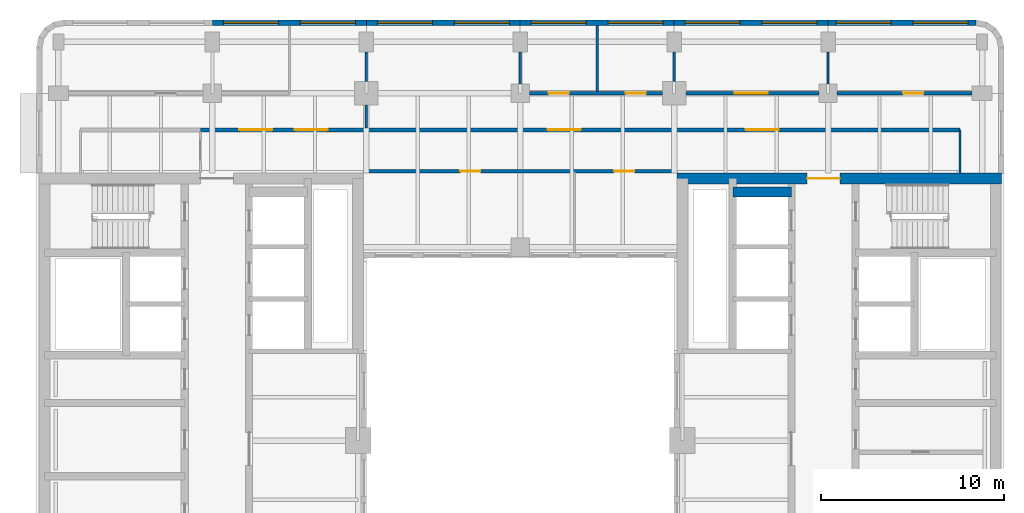
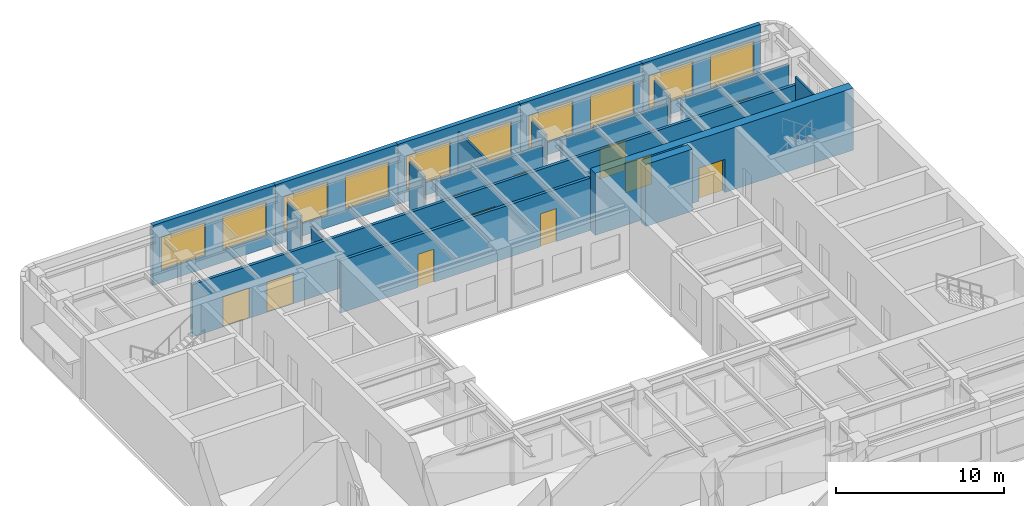
# One storey, part 7 of 11: 19 walls, 11 doors, 10 windows, 21 openings.
"""IFC4 building model written with IfcOpenShell, lengths in metres."""

from ifc_helpers import new_model, si_unit, direction, frame, frame_2d, origin, place, context, subcontext, project, spatial, rectangle, extrude, material, layer, layer_set, type_object, element, fill, save


model = new_model("IFC4")

# Units and contexts
model_context = context("Model", 3, precision=1e-05, world=origin(), true_north=direction((0.0, 1.0)))
body_context = subcontext(model_context, "Body", "Model", "MODEL_VIEW")
ifc_project = project(units=[si_unit("LENGTHUNIT", "METRE"), si_unit("AREAUNIT", "SQUARE_METRE"), si_unit("VOLUMEUNIT", "CUBIC_METRE"), si_unit("PLANEANGLEUNIT", "RADIAN"), si_unit("MASSUNIT", "GRAM", prefix="KILO")], contexts=[model_context])

# Site, building, storey
site_placement = place(None, origin())
site = spatial("IfcSite", under=ifc_project, at=site_placement, CompositionType="ELEMENT")
building_placement = place(site_placement, origin())
building = spatial("IfcBuilding", under=site, at=building_placement, Name="Claustro Exchange Tower", CompositionType="ELEMENT")
storey_placement = place(building_placement, frame((0.0, 0.0, 272.699951171875)))
storey = spatial("IfcBuildingStorey", under=building, at=storey_placement, Name="L62", CompositionType="ELEMENT", Elevation=272.699951171875)

# Walls
ifc_material_1 = material(Name="Laminated glass in aluminium frame", Category="aluminium")
ifc_layer_1 = layer(ifc_material_1, 0.1201171875)
ifc_layer_set_1 = layer_set([ifc_layer_1], Name="Laminated glass in aluminium frame")
wall_type_1 = type_object("IfcWallType", Name="P2 120 glazed partition", PredefinedType="PARTITIONING", material=ifc_layer_set_1)
wall_1_placement = place(storey_placement, frame((25.199951171875, 42.4990234375, 0.0), z_axis=(0.0, 0.0, 1.0), x_axis=(0.0, 1.0, 0.0)))
element("IfcWall", 1, at=wall_1_placement, inside=storey, type_object=wall_type_1, Name="Partition P2 L62", PredefinedType="PARTITIONING", context=body_context, shape_type="SweptSolid", body=[
    extrude(rectangle(XDim=1.751953125, YDim=0.1201171875, at=frame_2d((0.8759765625, 0.0))), origin(), (0.0, 0.0, 1.0), 3.989990234375),
])
wall_2_placement = place(storey_placement, frame((29.39990234375, 42.097900390625, 0.0), z_axis=(0.0, 0.0, 1.0), x_axis=(0.0, 1.0, 0.0)))
element("IfcWall", 2, at=wall_2_placement, inside=storey, type_object=wall_type_1, Name="Partition P2 L62", PredefinedType="PARTITIONING", context=body_context, shape_type="SweptSolid", body=[
    extrude(rectangle(XDim=3.60400390625, YDim=0.1201171875, at=frame_2d((1.802001953125, 0.0))), origin(), (0.0, 0.0, 1.0), 3.800048828125),
])
wall_3_placement = place(storey_placement, frame((33.60009765625, 42.64892578125, 0.0), z_axis=(0.0, 0.0, 1.0), x_axis=(0.0, 1.0, 0.0)))
element("IfcWall", 3, at=wall_3_placement, inside=storey, type_object=wall_type_1, Name="Partition P2 L62", PredefinedType="PARTITIONING", context=body_context, shape_type="SweptSolid", body=[
    extrude(rectangle(XDim=1.60205078125, YDim=0.1201171875, at=frame_2d((0.801025390625, 0.0))), origin(), (0.0, 0.0, 1.0), 3.989990234375),
])
wall_4_placement = place(storey_placement, frame((42.0, 42.4990234375, 0.0), z_axis=(0.0, 0.0, 1.0), x_axis=(0.0, 1.0, 0.0)))
element("IfcWall", 4, at=wall_4_placement, inside=storey, type_object=wall_type_1, Name="Partition P2 L62", PredefinedType="PARTITIONING", context=body_context, shape_type="SweptSolid", body=[
    extrude(rectangle(XDim=1.751953125, YDim=0.1201171875, at=frame_2d((0.8759765625, 0.0))), origin(), (0.0, 0.0, 1.0), 3.989990234375),
])
wall_5_placement = place(storey_placement, frame((16.800048828125, 40.097900390625, 0.0), z_axis=(0.0, 0.0, 1.0), x_axis=(0.0, 1.0, 0.0)))
element("IfcWall", 5, at=wall_5_placement, inside=storey, type_object=wall_type_1, Name="Partition P2 L62", PredefinedType="PARTITIONING", context=body_context, shape_type="SweptSolid", body=[
    extrude(rectangle(XDim=1.253173828125, YDim=0.1201171875, at=frame_2d((0.62646484375, 0.0))), origin(), (0.0, 0.0, 1.0), 3.989990234375),
])
wall_6_placement = place(storey_placement, frame((16.800048828125, 42.64892578125, 0.0), z_axis=(0.0, 0.0, 1.0), x_axis=(0.0, 1.0, 0.0)))
element("IfcWall", 6, at=wall_6_placement, inside=storey, type_object=wall_type_1, Name="Partition P2 L62", PredefinedType="PARTITIONING", context=body_context, shape_type="SweptSolid", body=[
    extrude(rectangle(XDim=1.60205078125, YDim=0.1201171875, at=frame_2d((0.801025390625, 0.0))), origin(), (0.0, 0.0, 1.0), 3.989990234375),
])
wall_7_placement = place(storey_placement, frame((49.199951171875, 37.64794921875, 0.0), z_axis=(0.0, 0.0, 1.0), x_axis=(0.0, 1.0, 0.0)))
element("IfcWall", 7, at=wall_7_placement, inside=storey, type_object=wall_type_1, Name="Partition P2 L62", PredefinedType="PARTITIONING", context=body_context, shape_type="SweptSolid", body=[
    extrude(rectangle(XDim=2.35205078125, YDim=0.1201171875, at=frame_2d((1.176025390625, 0.0))), origin(), (0.0, 0.0, 1.0), 4.35009765625),
])

# Wall, openings, doors
ifc_material_2 = material(Name="Twin-skin gypsum board on steel studs, mineral wool", Category="steel")
ifc_layer_2 = layer(ifc_material_2, 0.199951171875)
ifc_layer_set_2 = layer_set([ifc_layer_2], Name="Twin-skin gypsum board on steel studs, mineral wool")
wall_type_2 = type_object("IfcWallType", Name="P3 200 acoustic partition", PredefinedType="PARTITIONING", material=ifc_layer_set_2)
wall_8_placement = place(storey_placement, frame((25.698974609375, 42.0, 0.0), z_axis=(0.0, 0.0, 1.0), x_axis=(1.0, 0.0, 0.0)))
wall_8 = element("IfcWall", 8, at=wall_8_placement, inside=storey, type_object=wall_type_2, Name="Partition P3 L62", PredefinedType="PARTITIONING", context=body_context, shape_type="SweptSolid", body=[
    extrude(rectangle(XDim=7.251953125, YDim=0.199951171875, at=frame_2d((3.6259765625, 0.0))), origin(), (0.0, 0.0, 1.0), 3.800048828125),
])
opening_1_placement = place(wall_8_placement, frame((1.051025390625, 0.0, 0.0)))
opening_1 = element("IfcOpeningElement", 9, at=opening_1_placement, cuts=wall_8, Name="Opening D8", PredefinedType="OPENING", context=body_context, shape_type="SweptSolid", body=[
    extrude(rectangle(XDim=1.10009765625, YDim=2.39990234375, at=frame_2d((0.550048828125, 1.199951171875))), frame((0.0, 0.10986328125, 0.0), z_axis=(0.0, -1.0, 0.0), x_axis=(1.0, 0.0, 0.0)), (0.0, 0.0, 1.0), 0.219970703125),
])
opening_2_placement = place(wall_8_placement, frame((5.2509765625, 0.0, 0.0)))
opening_2 = element("IfcOpeningElement", 10, at=opening_2_placement, cuts=wall_8, Name="Opening D8", PredefinedType="OPENING", context=body_context, shape_type="SweptSolid", body=[
    extrude(rectangle(XDim=1.10009765625, YDim=2.39990234375, at=frame_2d((0.550048828125, 1.199951171875))), frame((0.0, 0.10986328125, 0.0), z_axis=(0.0, -1.0, 0.0), x_axis=(1.0, 0.0, 0.0)), (0.0, 0.0, 1.0), 0.219970703125),
])
ifc_material_3 = material(Name="Timber door, walnut veneer", Category="wood")
door_type_1 = type_object("IfcDoorType", Name="D8 1100 x 2400 executive door", OperationType="SINGLE_SWING_LEFT", PredefinedType="DOOR", material=ifc_material_3)
door_1_placement = place(opening_1_placement, origin())
door_1 = element("IfcDoor", 11, at=door_1_placement, inside=storey, type_object=door_type_1, Name="Door D8 L62", OperationType="SINGLE_SWING_RIGHT", OverallHeight=2.39990234375, OverallWidth=1.10009765625, PredefinedType="DOOR", context=body_context, shape_type="SweptSolid", body=[
    extrude(rectangle(XDim=1.10009765625, YDim=2.39990234375, at=frame_2d((0.550048828125, 1.199951171875))), frame((0.0, 0.02490234375, 0.0), z_axis=(0.0, -1.0, 0.0), x_axis=(1.0, 0.0, 0.0)), (0.0, 0.0, 1.0), 0.050048828125),
])
fill(opening_1, door_1)
door_2_placement = place(opening_2_placement, origin())
door_2 = element("IfcDoor", 12, at=door_2_placement, inside=storey, type_object=door_type_1, Name="Door D8 L62", OperationType="SINGLE_SWING_RIGHT", OverallHeight=2.39990234375, OverallWidth=1.10009765625, PredefinedType="DOOR", context=body_context, shape_type="SweptSolid", body=[
    extrude(rectangle(XDim=1.10009765625, YDim=2.39990234375, at=frame_2d((0.550048828125, 1.199951171875))), frame((0.0, 0.02490234375, 0.0), z_axis=(0.0, -1.0, 0.0), x_axis=(1.0, 0.0, 0.0)), (0.0, 0.0, 1.0), 0.050048828125),
])
fill(opening_2, door_2)

# Wall, opening, door
wall_9_placement = place(storey_placement, frame((34.2490234375, 42.0, 0.0), z_axis=(0.0, 0.0, 1.0), x_axis=(1.0, 0.0, 0.0)))
wall_9 = element("IfcWall", 13, at=wall_9_placement, inside=storey, type_object=wall_type_2, Name="Partition P3 L62", PredefinedType="PARTITIONING", context=body_context, shape_type="SweptSolid", body=[
    extrude(rectangle(XDim=7.251953125, YDim=0.199951171875, at=frame_2d((3.6259765625, 0.0))), origin(), (0.0, 0.0, 1.0), 3.800048828125),
])
opening_3_placement = place(wall_9_placement, frame((2.65087890625, 0.0, 0.0)))
opening_3 = element("IfcOpeningElement", 14, at=opening_3_placement, cuts=wall_9, Name="Opening D2", PredefinedType="OPENING", context=body_context, shape_type="SweptSolid", body=[
    extrude(rectangle(XDim=1.800048828125, YDim=2.199951171875, at=frame_2d((0.89990234375, 1.10009765625))), frame((0.0, 0.10986328125, 0.0), z_axis=(0.0, -1.0, 0.0), x_axis=(1.0, 0.0, 0.0)), (0.0, 0.0, 1.0), 0.219970703125),
])
ifc_material_4 = material(Name="Timber door, oak veneer", Category="wood")
door_type_2 = type_object("IfcDoorType", Name="D2 1800 x 2200 double door", OperationType="DOUBLE_DOOR_SINGLE_SWING", PredefinedType="DOOR", material=ifc_material_4)
door_3_placement = place(opening_3_placement, origin())
door_3 = element("IfcDoor", 15, at=door_3_placement, inside=storey, type_object=door_type_2, Name="Double door D2 L62", OperationType="DOUBLE_DOOR_SINGLE_SWING", OverallHeight=2.199951171875, OverallWidth=1.800048828125, PredefinedType="DOOR", context=body_context, shape_type="SweptSolid", body=[
    extrude(rectangle(XDim=1.800048828125, YDim=2.199951171875, at=frame_2d((0.89990234375, 1.10009765625))), frame((0.0, 0.02490234375, 0.0), z_axis=(0.0, -1.0, 0.0), x_axis=(1.0, 0.0, 0.0)), (0.0, 0.0, 1.0), 0.050048828125),
])
fill(opening_3, door_3)

wall_10_placement = place(storey_placement, frame((42.4990234375, 42.0, 0.0), z_axis=(0.0, 0.0, 1.0), x_axis=(1.0, 0.0, 0.0)))
wall_10 = element("IfcWall", 16, at=wall_10_placement, inside=storey, type_object=wall_type_2, Name="Partition P3 L62", PredefinedType="PARTITIONING", context=body_context, shape_type="SweptSolid", body=[
    extrude(rectangle(XDim=7.35205078125, YDim=0.199951171875, at=frame_2d((3.676025390625, 0.0))), origin(), (0.0, 0.0, 1.0), 3.800048828125),
])
opening_4_placement = place(wall_10_placement, frame((3.60107421875, 0.0, 0.0)))
opening_4 = element("IfcOpeningElement", 17, at=opening_4_placement, cuts=wall_10, Name="Opening D8", PredefinedType="OPENING", context=body_context, shape_type="SweptSolid", body=[
    extrude(rectangle(XDim=1.10009765625, YDim=2.39990234375, at=frame_2d((0.550048828125, 1.199951171875))), frame((0.0, 0.10986328125, 0.0), z_axis=(0.0, -1.0, 0.0), x_axis=(1.0, 0.0, 0.0)), (0.0, 0.0, 1.0), 0.219970703125),
])
door_4_placement = place(opening_4_placement, origin())
door_4 = element("IfcDoor", 18, at=door_4_placement, inside=storey, type_object=door_type_1, Name="Door D8 L62", OperationType="SINGLE_SWING_LEFT", OverallHeight=2.39990234375, OverallWidth=1.10009765625, PredefinedType="DOOR", context=body_context, shape_type="SweptSolid", body=[
    extrude(rectangle(XDim=1.10009765625, YDim=2.39990234375, at=frame_2d((0.550048828125, 1.199951171875))), frame((0.0, 0.02490234375, 0.0), z_axis=(0.0, -1.0, 0.0), x_axis=(1.0, 0.0, 0.0)), (0.0, 0.0, 1.0), 0.050048828125),
])
fill(opening_4, door_4)

# Wall, openings, doors
wall_11_placement = place(storey_placement, frame((7.748046875, 40.0, 0.0), z_axis=(0.0, 0.0, 1.0), x_axis=(1.0, 0.0, 0.0)))
wall_11 = element("IfcWall", 19, at=wall_11_placement, inside=storey, type_object=wall_type_2, Name="Partition P3 L62", PredefinedType="PARTITIONING", context=body_context, shape_type="SweptSolid", body=[
    extrude(rectangle(XDim=41.451904296875, YDim=0.199951171875, at=frame_2d((20.72607421875, 0.0))), origin(), (0.0, 0.0, 1.0), 3.800048828125),
])
opening_5_placement = place(wall_11_placement, frame((2.11865234375, 0.0, 0.0)))
opening_5 = element("IfcOpeningElement", 20, at=opening_5_placement, cuts=wall_11, Name="Opening D2", PredefinedType="OPENING", context=body_context, shape_type="SweptSolid", body=[
    extrude(rectangle(XDim=1.800048828125, YDim=2.199951171875, at=frame_2d((0.89990234375, 1.10009765625))), frame((0.0, 0.10986328125, 0.0), z_axis=(0.0, -1.0, 0.0), x_axis=(1.0, 0.0, 0.0)), (0.0, 0.0, 1.0), 0.219970703125),
])
opening_6_placement = place(wall_11_placement, frame((5.13525390625, 0.0, 0.0)))
opening_6 = element("IfcOpeningElement", 21, at=opening_6_placement, cuts=wall_11, Name="Opening D2", PredefinedType="OPENING", context=body_context, shape_type="SweptSolid", body=[
    extrude(rectangle(XDim=1.800048828125, YDim=2.199951171875, at=frame_2d((0.89990234375, 1.10009765625))), frame((0.0, 0.10986328125, 0.0), z_axis=(0.0, -1.0, 0.0), x_axis=(1.0, 0.0, 0.0)), (0.0, 0.0, 1.0), 0.219970703125),
])
opening_7_placement = place(wall_11_placement, frame((18.951904296875, 0.0, 0.0)))
opening_7 = element("IfcOpeningElement", 22, at=opening_7_placement, cuts=wall_11, Name="Opening D2", PredefinedType="OPENING", context=body_context, shape_type="SweptSolid", body=[
    extrude(rectangle(XDim=1.800048828125, YDim=2.199951171875, at=frame_2d((0.89990234375, 1.10009765625))), frame((0.0, 0.10986328125, 0.0), z_axis=(0.0, -1.0, 0.0), x_axis=(1.0, 0.0, 0.0)), (0.0, 0.0, 1.0), 0.219970703125),
])
opening_8_placement = place(wall_11_placement, frame((29.751953125, 0.0, 0.0)))
opening_8 = element("IfcOpeningElement", 23, at=opening_8_placement, cuts=wall_11, Name="Opening D2", PredefinedType="OPENING", context=body_context, shape_type="SweptSolid", body=[
    extrude(rectangle(XDim=1.800048828125, YDim=2.199951171875, at=frame_2d((0.89990234375, 1.10009765625))), frame((0.0, 0.10986328125, 0.0), z_axis=(0.0, -1.0, 0.0), x_axis=(1.0, 0.0, 0.0)), (0.0, 0.0, 1.0), 0.219970703125),
])
door_5_placement = place(opening_5_placement, origin())
door_5 = element("IfcDoor", 24, at=door_5_placement, inside=storey, type_object=door_type_2, Name="Double door D2 L62", OperationType="DOUBLE_DOOR_SINGLE_SWING", OverallHeight=2.199951171875, OverallWidth=1.800048828125, PredefinedType="DOOR", context=body_context, shape_type="SweptSolid", body=[
    extrude(rectangle(XDim=1.800048828125, YDim=2.199951171875, at=frame_2d((0.89990234375, 1.10009765625))), frame((0.0, 0.02490234375, 0.0), z_axis=(0.0, -1.0, 0.0), x_axis=(1.0, 0.0, 0.0)), (0.0, 0.0, 1.0), 0.050048828125),
])
fill(opening_5, door_5)
door_6_placement = place(opening_6_placement, origin())
door_6 = element("IfcDoor", 25, at=door_6_placement, inside=storey, type_object=door_type_2, Name="Double door D2 L62", OperationType="DOUBLE_DOOR_SINGLE_SWING", OverallHeight=2.199951171875, OverallWidth=1.800048828125, PredefinedType="DOOR", context=body_context, shape_type="SweptSolid", body=[
    extrude(rectangle(XDim=1.800048828125, YDim=2.199951171875, at=frame_2d((0.89990234375, 1.10009765625))), frame((0.0, 0.02490234375, 0.0), z_axis=(0.0, -1.0, 0.0), x_axis=(1.0, 0.0, 0.0)), (0.0, 0.0, 1.0), 0.050048828125),
])
fill(opening_6, door_6)
door_7_placement = place(opening_7_placement, origin())
door_7 = element("IfcDoor", 26, at=door_7_placement, inside=storey, type_object=door_type_2, Name="Double door D2 L62", OperationType="DOUBLE_DOOR_SINGLE_SWING", OverallHeight=2.199951171875, OverallWidth=1.800048828125, PredefinedType="DOOR", context=body_context, shape_type="SweptSolid", body=[
    extrude(rectangle(XDim=1.800048828125, YDim=2.199951171875, at=frame_2d((0.89990234375, 1.10009765625))), frame((0.0, 0.02490234375, 0.0), z_axis=(0.0, -1.0, 0.0), x_axis=(1.0, 0.0, 0.0)), (0.0, 0.0, 1.0), 0.050048828125),
])
fill(opening_7, door_7)
door_8_placement = place(opening_8_placement, origin())
door_8 = element("IfcDoor", 27, at=door_8_placement, inside=storey, type_object=door_type_2, Name="Double door D2 L62", OperationType="DOUBLE_DOOR_SINGLE_SWING", OverallHeight=2.199951171875, OverallWidth=1.800048828125, PredefinedType="DOOR", context=body_context, shape_type="SweptSolid", body=[
    extrude(rectangle(XDim=1.800048828125, YDim=2.199951171875, at=frame_2d((0.89990234375, 1.10009765625))), frame((0.0, 0.02490234375, 0.0), z_axis=(0.0, -1.0, 0.0), x_axis=(1.0, 0.0, 0.0)), (0.0, 0.0, 1.0), 0.050048828125),
])
fill(opening_8, door_8)

wall_12_placement = place(storey_placement, frame((16.64990234375, 37.75, 0.0), z_axis=(0.0, 0.0, 1.0), x_axis=(1.0, 0.0, 0.0)))
wall_12 = element("IfcWall", 28, at=wall_12_placement, inside=storey, type_object=wall_type_2, Name="Partition P3 L62", PredefinedType="PARTITIONING", context=body_context, shape_type="SweptSolid", body=[
    extrude(rectangle(XDim=17.10009765625, YDim=0.199951171875, at=frame_2d((8.550048828125, 0.0))), origin(), (0.0, 0.0, 1.0), 3.800048828125),
])
opening_9_placement = place(wall_12_placement, frame((5.2802734375, 0.0, 0.0)))
opening_9 = element("IfcOpeningElement", 29, at=opening_9_placement, cuts=wall_12, Name="Opening D8", PredefinedType="OPENING", context=body_context, shape_type="SweptSolid", body=[
    extrude(rectangle(XDim=1.10009765625, YDim=2.39990234375, at=frame_2d((0.550048828125, 1.199951171875))), frame((0.0, 0.10986328125, 0.0), z_axis=(0.0, -1.0, 0.0), x_axis=(1.0, 0.0, 0.0)), (0.0, 0.0, 1.0), 0.219970703125),
])
opening_10_placement = place(wall_12_placement, frame((13.68017578125, 0.0, 0.0)))
opening_10 = element("IfcOpeningElement", 30, at=opening_10_placement, cuts=wall_12, Name="Opening D8", PredefinedType="OPENING", context=body_context, shape_type="SweptSolid", body=[
    extrude(rectangle(XDim=1.10009765625, YDim=2.39990234375, at=frame_2d((0.550048828125, 1.199951171875))), frame((0.0, 0.10986328125, 0.0), z_axis=(0.0, -1.0, 0.0), x_axis=(1.0, 0.0, 0.0)), (0.0, 0.0, 1.0), 0.219970703125),
])
door_9_placement = place(opening_9_placement, frame((1.10009765625, 0.0, 0.0), z_axis=(0.0, 0.0, 1.0), x_axis=(-1.0, 0.0, 0.0)))
door_9 = element("IfcDoor", 31, at=door_9_placement, inside=storey, type_object=door_type_1, Name="Door D8 L62", OperationType="SINGLE_SWING_LEFT", OverallHeight=2.39990234375, OverallWidth=1.10009765625, PredefinedType="DOOR", context=body_context, shape_type="SweptSolid", body=[
    extrude(rectangle(XDim=1.10009765625, YDim=2.39990234375, at=frame_2d((0.550048828125, 1.199951171875))), frame((0.0, 0.02490234375, 0.0), z_axis=(0.0, -1.0, 0.0), x_axis=(1.0, 0.0, 0.0)), (0.0, 0.0, 1.0), 0.050048828125),
])
fill(opening_9, door_9)
door_10_placement = place(opening_10_placement, frame((1.10009765625, 0.0, 0.0), z_axis=(0.0, 0.0, 1.0), x_axis=(-1.0, 0.0, 0.0)))
door_10 = element("IfcDoor", 32, at=door_10_placement, inside=storey, type_object=door_type_1, Name="Door D8 L62", OperationType="SINGLE_SWING_LEFT", OverallHeight=2.39990234375, OverallWidth=1.10009765625, PredefinedType="DOOR", context=body_context, shape_type="SweptSolid", body=[
    extrude(rectangle(XDim=1.10009765625, YDim=2.39990234375, at=frame_2d((0.550048828125, 1.199951171875))), frame((0.0, 0.02490234375, 0.0), z_axis=(0.0, -1.0, 0.0), x_axis=(1.0, 0.0, 0.0)), (0.0, 0.0, 1.0), 0.050048828125),
])
fill(opening_10, door_10)

# Wall, openings, windows
ifc_material_5 = material(Name="Concrete HA-40 (C40/50), precast, white cement, acid-etched", Category="concrete")
ifc_layer_3 = layer(ifc_material_5, 0.300048828125)
ifc_layer_set_3 = layer_set([ifc_layer_3], Name="Concrete HA-40 (C40/50), precast, white cement, acid-etched")
wall_type_3 = type_object("IfcWallType", Name="PC1 300 precast concrete pier panel", PredefinedType="SOLIDWALL", material=ifc_layer_set_3)
wall_13_placement = place(storey_placement, frame((8.39990234375, 45.85009765625, 0.0), z_axis=(0.0, 0.0, 1.0), x_axis=(1.0, 0.0, 0.0)))
wall_13 = element("IfcWall", 33, at=wall_13_placement, inside=storey, type_object=wall_type_3, Name="Precast pier panel PC1 L62", PredefinedType="SOLIDWALL", context=body_context, shape_type="SweptSolid", body=[
    extrude(rectangle(XDim=8.400146484375, YDim=0.300048828125, at=frame_2d((4.2001953125, 0.0))), origin(), (0.0, 0.0, 1.0), 4.35009765625),
])
opening_11_placement = place(wall_13_placement, frame((0.60009765625, 0.0, 0.89990234375)))
opening_11 = element("IfcOpeningElement", 34, at=opening_11_placement, cuts=wall_13, Name="Opening W3", PredefinedType="OPENING", context=body_context, shape_type="SweptSolid", body=[
    extrude(rectangle(XDim=3.0, YDim=2.39990234375, at=frame_2d((1.5, 1.199951171875))), frame((0.0, 0.159912109375, 0.0), z_axis=(0.0, -1.0, 0.0), x_axis=(1.0, 0.0, 0.0)), (0.0, 0.0, 1.0), 0.320068359375),
])
opening_12_placement = place(wall_13_placement, frame((4.800048828125, 0.0, 0.89990234375)))
opening_12 = element("IfcOpeningElement", 35, at=opening_12_placement, cuts=wall_13, Name="Opening W3", PredefinedType="OPENING", context=body_context, shape_type="SweptSolid", body=[
    extrude(rectangle(XDim=3.0, YDim=2.39990234375, at=frame_2d((1.5, 1.199951171875))), frame((0.0, 0.159912109375, 0.0), z_axis=(0.0, -1.0, 0.0), x_axis=(1.0, 0.0, 0.0)), (0.0, 0.0, 1.0), 0.320068359375),
])
ifc_material_6 = material(Name="Aluminium frame, clear double glazing", Category="aluminium")
window_type = type_object("IfcWindowType", Name="W3 3000 x 2400 window", PartitioningType="SINGLE_PANEL", PredefinedType="WINDOW", material=ifc_material_6)
window_1_placement = place(opening_11_placement, origin())
window_1 = element("IfcWindow", 36, at=window_1_placement, inside=storey, type_object=window_type, Name="Window W3 L62", OverallHeight=2.39990234375, OverallWidth=3.0, PartitioningType="SINGLE_PANEL", PredefinedType="WINDOW", context=body_context, shape_type="SweptSolid", body=[
    extrude(rectangle(XDim=3.0, YDim=2.39990234375, at=frame_2d((1.5, 1.199951171875))), frame((0.0, 0.030029296875, 0.0), z_axis=(0.0, -1.0, 0.0), x_axis=(1.0, 0.0, 0.0)), (0.0, 0.0, 1.0), 0.06005859375),
])
fill(opening_11, window_1)
window_2_placement = place(opening_12_placement, origin())
window_2 = element("IfcWindow", 37, at=window_2_placement, inside=storey, type_object=window_type, Name="Window W3 L62", OverallHeight=2.39990234375, OverallWidth=3.0, PartitioningType="SINGLE_PANEL", PredefinedType="WINDOW", context=body_context, shape_type="SweptSolid", body=[
    extrude(rectangle(XDim=3.0, YDim=2.39990234375, at=frame_2d((1.5, 1.199951171875))), frame((0.0, 0.030029296875, 0.0), z_axis=(0.0, -1.0, 0.0), x_axis=(1.0, 0.0, 0.0)), (0.0, 0.0, 1.0), 0.06005859375),
])
fill(opening_12, window_2)

wall_14_placement = place(storey_placement, frame((16.800048828125, 45.85009765625, 0.0), z_axis=(0.0, 0.0, 1.0), x_axis=(1.0, 0.0, 0.0)))
wall_14 = element("IfcWall", 38, at=wall_14_placement, inside=storey, type_object=wall_type_3, Name="Precast pier panel PC1 L62", PredefinedType="SOLIDWALL", context=body_context, shape_type="SweptSolid", body=[
    extrude(rectangle(XDim=8.39990234375, YDim=0.300048828125, at=frame_2d((4.199951171875, 0.0))), origin(), (0.0, 0.0, 1.0), 4.35009765625),
])
opening_13_placement = place(wall_14_placement, frame((0.60009765625, 0.0, 0.89990234375)))
opening_13 = element("IfcOpeningElement", 39, at=opening_13_placement, cuts=wall_14, Name="Opening W3", PredefinedType="OPENING", context=body_context, shape_type="SweptSolid", body=[
    extrude(rectangle(XDim=3.0, YDim=2.39990234375, at=frame_2d((1.5, 1.199951171875))), frame((0.0, 0.159912109375, 0.0), z_axis=(0.0, -1.0, 0.0), x_axis=(1.0, 0.0, 0.0)), (0.0, 0.0, 1.0), 0.320068359375),
])
opening_14_placement = place(wall_14_placement, frame((4.800048828125, 0.0, 0.89990234375)))
opening_14 = element("IfcOpeningElement", 40, at=opening_14_placement, cuts=wall_14, Name="Opening W3", PredefinedType="OPENING", context=body_context, shape_type="SweptSolid", body=[
    extrude(rectangle(XDim=3.0, YDim=2.39990234375, at=frame_2d((1.5, 1.199951171875))), frame((0.0, 0.159912109375, 0.0), z_axis=(0.0, -1.0, 0.0), x_axis=(1.0, 0.0, 0.0)), (0.0, 0.0, 1.0), 0.320068359375),
])
window_3_placement = place(opening_13_placement, origin())
window_3 = element("IfcWindow", 41, at=window_3_placement, inside=storey, type_object=window_type, Name="Window W3 L62", OverallHeight=2.39990234375, OverallWidth=3.0, PartitioningType="SINGLE_PANEL", PredefinedType="WINDOW", context=body_context, shape_type="SweptSolid", body=[
    extrude(rectangle(XDim=3.0, YDim=2.39990234375, at=frame_2d((1.5, 1.199951171875))), frame((0.0, 0.030029296875, 0.0), z_axis=(0.0, -1.0, 0.0), x_axis=(1.0, 0.0, 0.0)), (0.0, 0.0, 1.0), 0.06005859375),
])
fill(opening_13, window_3)
window_4_placement = place(opening_14_placement, origin())
window_4 = element("IfcWindow", 42, at=window_4_placement, inside=storey, type_object=window_type, Name="Window W3 L62", OverallHeight=2.39990234375, OverallWidth=3.0, PartitioningType="SINGLE_PANEL", PredefinedType="WINDOW", context=body_context, shape_type="SweptSolid", body=[
    extrude(rectangle(XDim=3.0, YDim=2.39990234375, at=frame_2d((1.5, 1.199951171875))), frame((0.0, 0.030029296875, 0.0), z_axis=(0.0, -1.0, 0.0), x_axis=(1.0, 0.0, 0.0)), (0.0, 0.0, 1.0), 0.06005859375),
])
fill(opening_14, window_4)

wall_15_placement = place(storey_placement, frame((25.199951171875, 45.85009765625, 0.0), z_axis=(0.0, 0.0, 1.0), x_axis=(1.0, 0.0, 0.0)))
wall_15 = element("IfcWall", 43, at=wall_15_placement, inside=storey, type_object=wall_type_3, Name="Precast pier panel PC1 L62", PredefinedType="SOLIDWALL", context=body_context, shape_type="SweptSolid", body=[
    extrude(rectangle(XDim=8.400146484375, YDim=0.300048828125, at=frame_2d((4.2001953125, 0.0))), origin(), (0.0, 0.0, 1.0), 4.35009765625),
])
opening_15_placement = place(wall_15_placement, frame((0.60009765625, 0.0, 0.89990234375)))
opening_15 = element("IfcOpeningElement", 44, at=opening_15_placement, cuts=wall_15, Name="Opening W3", PredefinedType="OPENING", context=body_context, shape_type="SweptSolid", body=[
    extrude(rectangle(XDim=3.0, YDim=2.39990234375, at=frame_2d((1.5, 1.199951171875))), frame((0.0, 0.159912109375, 0.0), z_axis=(0.0, -1.0, 0.0), x_axis=(1.0, 0.0, 0.0)), (0.0, 0.0, 1.0), 0.320068359375),
])
opening_16_placement = place(wall_15_placement, frame((4.800048828125, 0.0, 0.89990234375)))
opening_16 = element("IfcOpeningElement", 45, at=opening_16_placement, cuts=wall_15, Name="Opening W3", PredefinedType="OPENING", context=body_context, shape_type="SweptSolid", body=[
    extrude(rectangle(XDim=3.0, YDim=2.39990234375, at=frame_2d((1.5, 1.199951171875))), frame((0.0, 0.159912109375, 0.0), z_axis=(0.0, -1.0, 0.0), x_axis=(1.0, 0.0, 0.0)), (0.0, 0.0, 1.0), 0.320068359375),
])
window_5_placement = place(opening_15_placement, origin())
window_5 = element("IfcWindow", 46, at=window_5_placement, inside=storey, type_object=window_type, Name="Window W3 L62", OverallHeight=2.39990234375, OverallWidth=3.0, PartitioningType="SINGLE_PANEL", PredefinedType="WINDOW", context=body_context, shape_type="SweptSolid", body=[
    extrude(rectangle(XDim=3.0, YDim=2.39990234375, at=frame_2d((1.5, 1.199951171875))), frame((0.0, 0.030029296875, 0.0), z_axis=(0.0, -1.0, 0.0), x_axis=(1.0, 0.0, 0.0)), (0.0, 0.0, 1.0), 0.06005859375),
])
fill(opening_15, window_5)
window_6_placement = place(opening_16_placement, origin())
window_6 = element("IfcWindow", 47, at=window_6_placement, inside=storey, type_object=window_type, Name="Window W3 L62", OverallHeight=2.39990234375, OverallWidth=3.0, PartitioningType="SINGLE_PANEL", PredefinedType="WINDOW", context=body_context, shape_type="SweptSolid", body=[
    extrude(rectangle(XDim=3.0, YDim=2.39990234375, at=frame_2d((1.5, 1.199951171875))), frame((0.0, 0.030029296875, 0.0), z_axis=(0.0, -1.0, 0.0), x_axis=(1.0, 0.0, 0.0)), (0.0, 0.0, 1.0), 0.06005859375),
])
fill(opening_16, window_6)

wall_16_placement = place(storey_placement, frame((33.60009765625, 45.85009765625, 0.0), z_axis=(0.0, 0.0, 1.0), x_axis=(1.0, 0.0, 0.0)))
wall_16 = element("IfcWall", 48, at=wall_16_placement, inside=storey, type_object=wall_type_3, Name="Precast pier panel PC1 L62", PredefinedType="SOLIDWALL", context=body_context, shape_type="SweptSolid", body=[
    extrude(rectangle(XDim=8.39990234375, YDim=0.300048828125, at=frame_2d((4.199951171875, 0.0))), origin(), (0.0, 0.0, 1.0), 4.35009765625),
])
opening_17_placement = place(wall_16_placement, frame((0.60009765625, 0.0, 0.89990234375)))
opening_17 = element("IfcOpeningElement", 49, at=opening_17_placement, cuts=wall_16, Name="Opening W3", PredefinedType="OPENING", context=body_context, shape_type="SweptSolid", body=[
    extrude(rectangle(XDim=3.0, YDim=2.39990234375, at=frame_2d((1.5, 1.199951171875))), frame((0.0, 0.159912109375, 0.0), z_axis=(0.0, -1.0, 0.0), x_axis=(1.0, 0.0, 0.0)), (0.0, 0.0, 1.0), 0.320068359375),
])
opening_18_placement = place(wall_16_placement, frame((4.800048828125, 0.0, 0.89990234375)))
opening_18 = element("IfcOpeningElement", 50, at=opening_18_placement, cuts=wall_16, Name="Opening W3", PredefinedType="OPENING", context=body_context, shape_type="SweptSolid", body=[
    extrude(rectangle(XDim=3.0, YDim=2.39990234375, at=frame_2d((1.5, 1.199951171875))), frame((0.0, 0.159912109375, 0.0), z_axis=(0.0, -1.0, 0.0), x_axis=(1.0, 0.0, 0.0)), (0.0, 0.0, 1.0), 0.320068359375),
])
window_7_placement = place(opening_17_placement, origin())
window_7 = element("IfcWindow", 51, at=window_7_placement, inside=storey, type_object=window_type, Name="Window W3 L62", OverallHeight=2.39990234375, OverallWidth=3.0, PartitioningType="SINGLE_PANEL", PredefinedType="WINDOW", context=body_context, shape_type="SweptSolid", body=[
    extrude(rectangle(XDim=3.0, YDim=2.39990234375, at=frame_2d((1.5, 1.199951171875))), frame((0.0, 0.030029296875, 0.0), z_axis=(0.0, -1.0, 0.0), x_axis=(1.0, 0.0, 0.0)), (0.0, 0.0, 1.0), 0.06005859375),
])
fill(opening_17, window_7)
window_8_placement = place(opening_18_placement, origin())
window_8 = element("IfcWindow", 52, at=window_8_placement, inside=storey, type_object=window_type, Name="Window W3 L62", OverallHeight=2.39990234375, OverallWidth=3.0, PartitioningType="SINGLE_PANEL", PredefinedType="WINDOW", context=body_context, shape_type="SweptSolid", body=[
    extrude(rectangle(XDim=3.0, YDim=2.39990234375, at=frame_2d((1.5, 1.199951171875))), frame((0.0, 0.030029296875, 0.0), z_axis=(0.0, -1.0, 0.0), x_axis=(1.0, 0.0, 0.0)), (0.0, 0.0, 1.0), 0.06005859375),
])
fill(opening_18, window_8)

wall_17_placement = place(storey_placement, frame((42.0, 45.85009765625, 0.0), z_axis=(0.0, 0.0, 1.0), x_axis=(1.0, 0.0, 0.0)))
wall_17 = element("IfcWall", 53, at=wall_17_placement, inside=storey, type_object=wall_type_3, Name="Precast pier panel PC1 L62", PredefinedType="SOLIDWALL", context=body_context, shape_type="SweptSolid", body=[
    extrude(rectangle(XDim=8.085205078125, YDim=0.300048828125, at=frame_2d((4.04248046875, 0.0))), origin(), (0.0, 0.0, 1.0), 4.35009765625),
])
opening_19_placement = place(wall_17_placement, frame((0.442626953125, 0.0, 0.89990234375)))
opening_19 = element("IfcOpeningElement", 54, at=opening_19_placement, cuts=wall_17, Name="Opening W3", PredefinedType="OPENING", context=body_context, shape_type="SweptSolid", body=[
    extrude(rectangle(XDim=3.0, YDim=2.39990234375, at=frame_2d((1.5, 1.199951171875))), frame((0.0, 0.159912109375, 0.0), z_axis=(0.0, -1.0, 0.0), x_axis=(1.0, 0.0, 0.0)), (0.0, 0.0, 1.0), 0.320068359375),
])
opening_20_placement = place(wall_17_placement, frame((4.642578125, 0.0, 0.89990234375)))
opening_20 = element("IfcOpeningElement", 55, at=opening_20_placement, cuts=wall_17, Name="Opening W3", PredefinedType="OPENING", context=body_context, shape_type="SweptSolid", body=[
    extrude(rectangle(XDim=3.0, YDim=2.39990234375, at=frame_2d((1.5, 1.199951171875))), frame((0.0, 0.159912109375, 0.0), z_axis=(0.0, -1.0, 0.0), x_axis=(1.0, 0.0, 0.0)), (0.0, 0.0, 1.0), 0.320068359375),
])
window_9_placement = place(opening_19_placement, origin())
window_9 = element("IfcWindow", 56, at=window_9_placement, inside=storey, type_object=window_type, Name="Window W3 L62", OverallHeight=2.39990234375, OverallWidth=3.0, PartitioningType="SINGLE_PANEL", PredefinedType="WINDOW", context=body_context, shape_type="SweptSolid", body=[
    extrude(rectangle(XDim=3.0, YDim=2.39990234375, at=frame_2d((1.5, 1.199951171875))), frame((0.0, 0.030029296875, 0.0), z_axis=(0.0, -1.0, 0.0), x_axis=(1.0, 0.0, 0.0)), (0.0, 0.0, 1.0), 0.06005859375),
])
fill(opening_19, window_9)
window_10_placement = place(opening_20_placement, origin())
window_10 = element("IfcWindow", 57, at=window_10_placement, inside=storey, type_object=window_type, Name="Window W3 L62", OverallHeight=2.39990234375, OverallWidth=3.0, PartitioningType="SINGLE_PANEL", PredefinedType="WINDOW", context=body_context, shape_type="SweptSolid", body=[
    extrude(rectangle(XDim=3.0, YDim=2.39990234375, at=frame_2d((1.5, 1.199951171875))), frame((0.0, 0.030029296875, 0.0), z_axis=(0.0, -1.0, 0.0), x_axis=(1.0, 0.0, 0.0)), (0.0, 0.0, 1.0), 0.06005859375),
])
fill(opening_20, window_10)

# Wall, opening, door
ifc_material_7 = material(Name="Concrete HA-50 (C50/60)", Category="concrete")
ifc_layer_4 = layer(ifc_material_7, 0.60009765625)
ifc_layer_set_4 = layer_set([ifc_layer_4], Name="Concrete HA-50 (C50/60)")
wall_type_4 = type_object("IfcWallType", Name="SW3 600 core shear wall", PredefinedType="SHEAR", material=ifc_layer_set_4)
wall_18_placement = place(storey_placement, frame((33.75, 37.35009765625, 0.0), z_axis=(0.0, 0.0, 1.0), x_axis=(1.0, 0.0, 0.0)))
wall_18 = element("IfcWall", 58, at=wall_18_placement, inside=storey, type_object=wall_type_4, Name="Core wall SW3 E core N face L62", PredefinedType="SHEAR", context=body_context, shape_type="SweptSolid", body=[
    extrude(rectangle(XDim=17.699951171875, YDim=0.60009765625, at=frame_2d((8.85009765625, 0.0))), origin(), (0.0, 0.0, 1.0), 4.5),
])
opening_21_placement = place(wall_18_placement, frame((7.10009765625, 0.0, 0.0)))
opening_21 = element("IfcOpeningElement", 59, at=opening_21_placement, cuts=wall_18, Name="Opening D3", PredefinedType="OPENING", context=body_context, shape_type="SweptSolid", body=[
    extrude(rectangle(XDim=1.800048828125, YDim=2.39990234375, at=frame_2d((0.89990234375, 1.199951171875))), frame((0.0, 0.31005859375, 0.0), z_axis=(0.0, -1.0, 0.0), x_axis=(1.0, 0.0, 0.0)), (0.0, 0.0, 1.0), 0.6201171875),
])
ifc_material_8 = material(Name="Steel fire door, painted", Category="steel")
door_type_3 = type_object("IfcDoorType", Name="D3 1800 x 2400 fire-rated lobby double door", OperationType="DOUBLE_DOOR_SINGLE_SWING", PredefinedType="DOOR", material=ifc_material_8)
door_11_placement = place(opening_21_placement, origin())
door_11 = element("IfcDoor", 60, at=door_11_placement, inside=storey, type_object=door_type_3, Name="Lift lobby door D3 L62", OperationType="DOUBLE_DOOR_SINGLE_SWING", OverallHeight=2.39990234375, OverallWidth=1.800048828125, PredefinedType="DOOR", context=body_context, shape_type="SweptSolid", body=[
    extrude(rectangle(XDim=1.800048828125, YDim=2.39990234375, at=frame_2d((0.89990234375, 1.199951171875))), frame((0.0, 0.02490234375, 0.0), z_axis=(0.0, -1.0, 0.0), x_axis=(1.0, 0.0, 0.0)), (0.0, 0.0, 1.0), 0.050048828125),
])
fill(opening_21, door_11)

# Wall
ifc_material_9 = material(Name="Concrete HA-50 (C50/60)", Category="concrete")
ifc_layer_5 = layer(ifc_material_9, 0.550048828125)
ifc_layer_set_5 = layer_set([ifc_layer_5], Name="Concrete HA-50 (C50/60)")
wall_type_5 = type_object("IfcWallType", Name="SW6 550 lift shaft end wall", PredefinedType="SHEAR", material=ifc_layer_set_5)
wall_19_placement = place(storey_placement, frame((40.0, 36.625, 0.0), z_axis=(0.0, 0.0, 1.0), x_axis=(-1.0, 0.0, 0.0)))
element("IfcWall", 61, at=wall_19_placement, inside=storey, type_object=wall_type_5, Name="Lift shaft wall E core L62", PredefinedType="SHEAR", context=body_context, shape_type="SweptSolid", body=[
    extrude(rectangle(XDim=3.199951171875, YDim=0.550048828125, at=frame_2d((1.60009765625, 0.0))), origin(), (0.0, 0.0, 1.0), 4.5),
])

save(model, "model.ifc")
